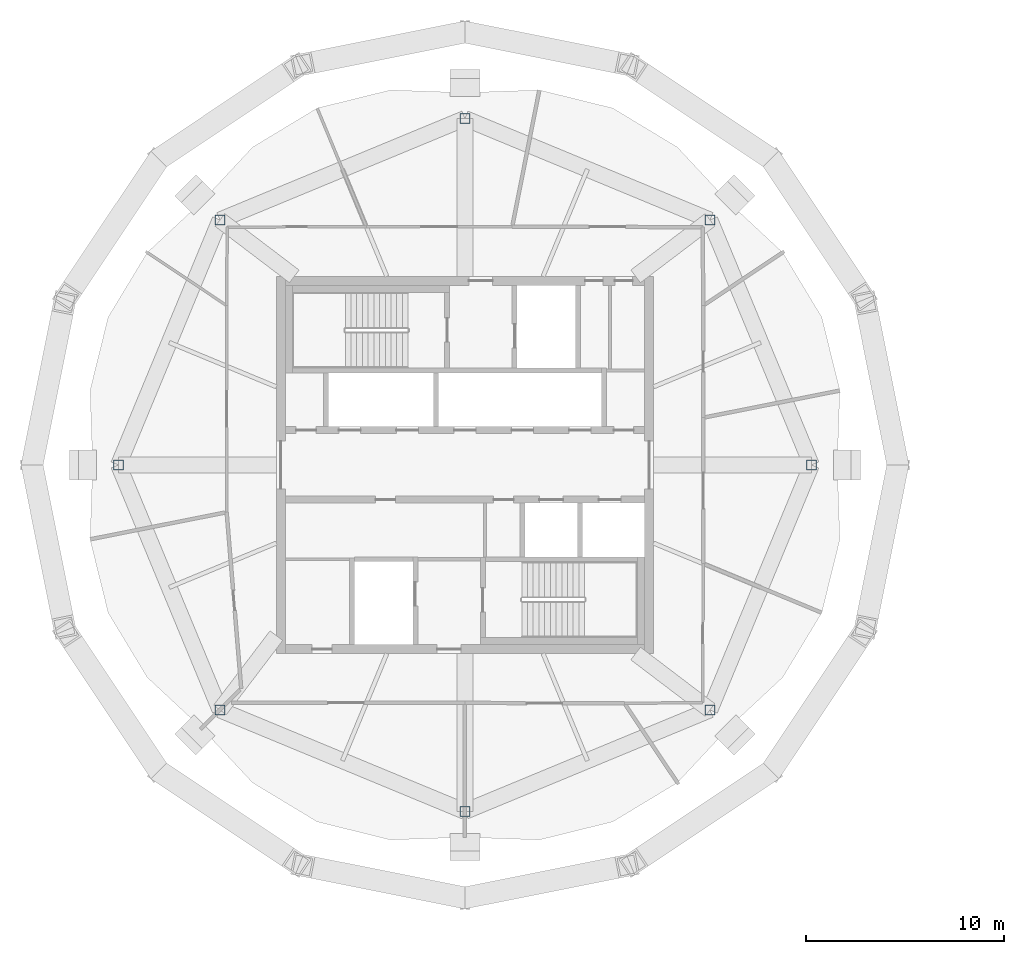
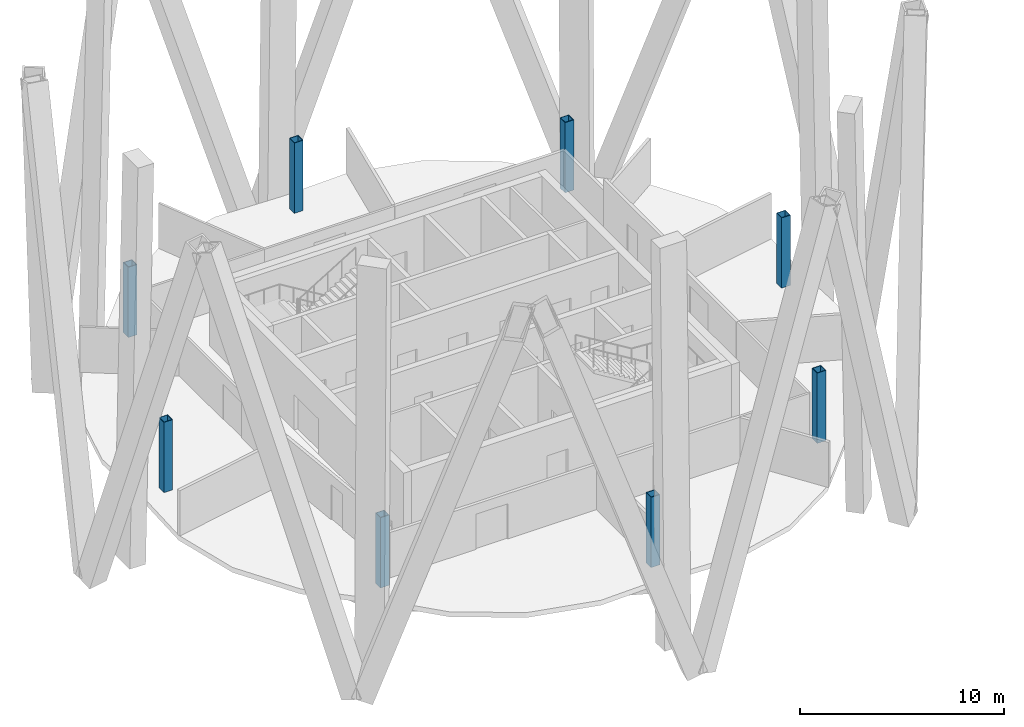
# One storey, part 1 of 11: 8 columns.
"""IFC4 building model written with IfcOpenShell, lengths in metres."""

from ifc_helpers import new_model, si_unit, direction, frame, origin, origin_2d, place, context, subcontext, project, spatial, hollow_rectangle, extrude, material, material_profile, profile_set, type_object, element, save


model = new_model("IFC4")

# Units and contexts
model_context = context("Model", 3, precision=1e-05, world=origin(), true_north=direction((0.0, 1.0)))
body_context = subcontext(model_context, "Body", "Model", "MODEL_VIEW")
ifc_project = project(units=[si_unit("LENGTHUNIT", "METRE"), si_unit("AREAUNIT", "SQUARE_METRE"), si_unit("VOLUMEUNIT", "CUBIC_METRE"), si_unit("PLANEANGLEUNIT", "RADIAN"), si_unit("MASSUNIT", "GRAM", prefix="KILO")], contexts=[model_context])

# Site, building, storey
site_placement = place(None, origin())
site = spatial("IfcSite", under=ifc_project, at=site_placement, CompositionType="ELEMENT")
building_placement = place(site_placement, origin())
building = spatial("IfcBuilding", under=site, at=building_placement, Name="Ogive Gate Towers", CompositionType="ELEMENT")
storey_placement = place(building_placement, frame((0.0, 0.0, 273.0)))
storey = spatial("IfcBuildingStorey", under=building, at=storey_placement, Name="L64", CompositionType="ELEMENT", Elevation=273.0)

# Columns
ifc_material = material(Name="Steel SM460", Category="steel")
ifc_material_profile = material_profile(ifc_material, hollow_rectangle(XDim=0.5, YDim=0.5, WallThickness=0.030029296875, at=origin_2d()), Name="BX 500x500x30")
ifc_profile_set = profile_set([ifc_material_profile], Name="Steel SM460")
column_type = type_object("IfcColumnType", Name="Perimeter post BX 500x500x30", PredefinedType="COLUMN", material=ifc_profile_set)
for number, where, z_axis, x_axis, name in (
    (1, (-18.544921875, 0.0, 0.0), (0.0, 0.0, 1.0), (1.0, 0.0, 0.0), "T1/L64/SCL001"),
    (2, (-23.657470703125, 12.342529296875, 0.0), (0.0, 0.0, 1.0), (1.0, 0.0, 0.0), "T1/L64/SCL002"),
    (3, (-36.0, 17.455078125, 0.0), (0.0, 0.0, 1.0), (1.0, 0.0, 0.0), "T1/L64/SCL003"),
    (4, (-48.342529296875, 12.342529296875, 0.0), (0.0, 0.0, 1.0), (1.0, 0.0, 0.0), "T1/L64/SCL004"),
    (5, (-53.455078125, 0.0, 0.0), (0.0, 0.0, 1.0), (1.0, 0.0, 0.0), "T1/L64/SCL005"),
    (6, (-48.342529296875, -12.342529296875, 0.0), (0.0, 0.0, 1.0), (1.0, 0.0, 0.0), "T1/L64/SCL006"),
    (7, (-36.0, -17.455078125, 0.0), (0.0, 0.0, 1.0), (1.0, 0.0, 0.0), "T1/L64/SCL007"),
    (8, (-23.657470703125, -12.342529296875, 0.0), (0.0, 0.0, 1.0), (1.0, 0.0, 0.0), "T1/L64/SCL008"),
):
    element("IfcColumn", number, at=place(storey_placement, frame(where, z_axis=z_axis, x_axis=x_axis)), inside=storey, type_object=column_type, Name=name, PredefinedType="COLUMN", context=body_context, shape_type="SweptSolid", body=[
        extrude(hollow_rectangle(XDim=0.5, YDim=0.5, WallThickness=0.030029296875, at=origin_2d()), origin(), (0.0, 0.0, 1.0), 4.199951171875),
    ])

save(model, "model.ifc")
